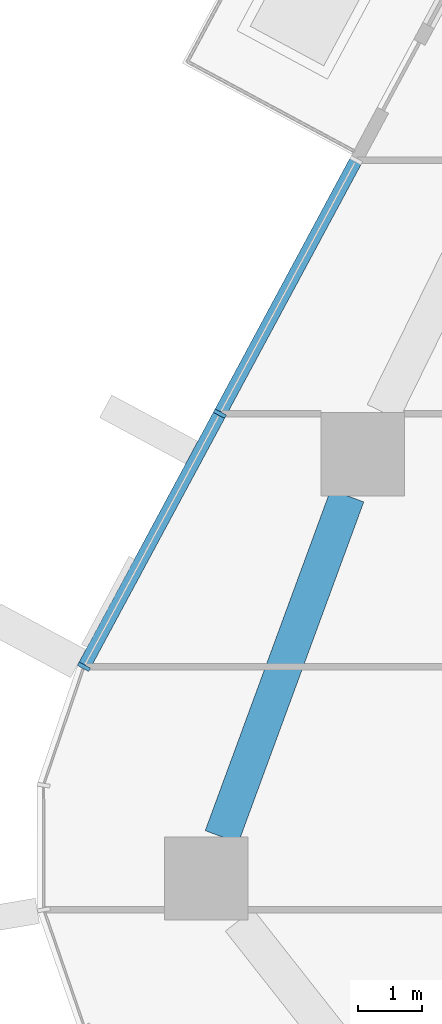
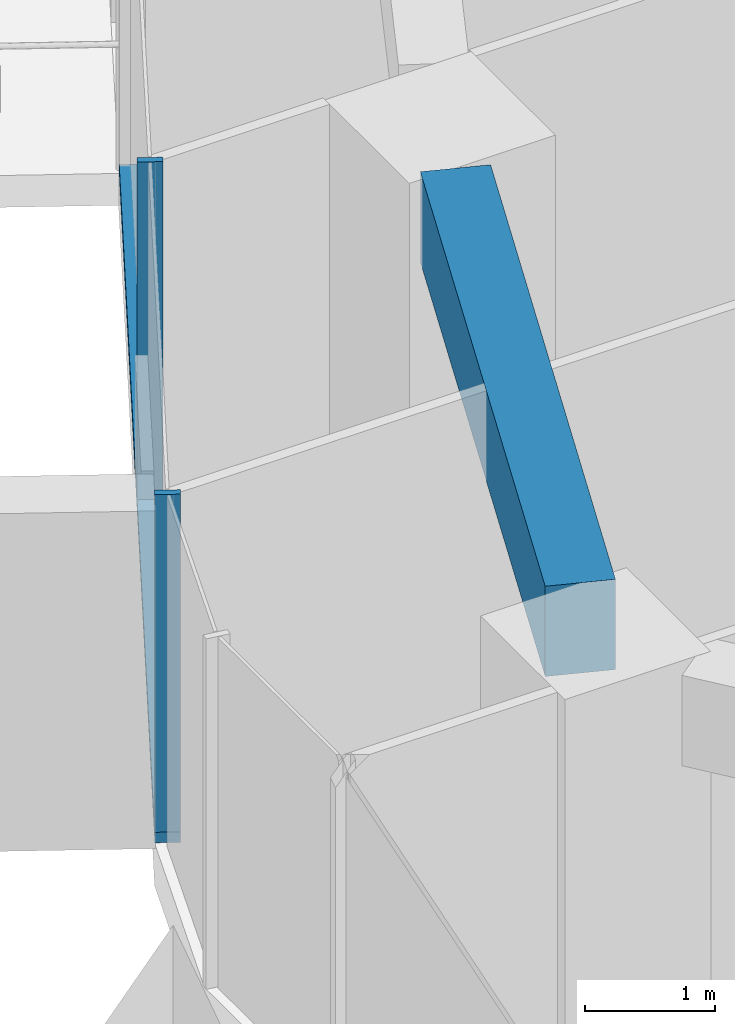
# One storey, part 3 of 24: 3 members, 1 beam, 1 element without a shape of its own.
"""IFC4 building model written with IfcOpenShell, lengths in metres."""

import ifcopenshell
import ifcopenshell.guid

model = None  # the IFC model being written
_history = None  # IfcOwnerHistory: only IFC2X3 demands one
_inside = {}  # id of a spatial element -> (the spatial element, [elements in it])
_under = {}  # id of a project, library or spatial element -> (it, [spatial elements below it])
_declared = {}  # id of a project -> (the project, [libraries it declares])
_typed = {}  # id of a type object -> (the type object, [elements of that type])
_made_of = {}  # id of a material, layer set ... -> (it, [elements and type objects made of it])


def new_model(schema):
    """Start an empty IFC model of exactly this schema.

    Asked for "IFC4X3", IfcOpenShell would pick the latest addendum, in which some entities
    have other attributes; the version numbers below select the first issue.
    IFC2X3 requires an IfcOwnerHistory on every rooted entity: one is made here for all.
    """
    global model, _history
    if schema == "IFC4X3":
        model = ifcopenshell.file(schema_version=(4, 3, 0, 0))
    else:
        model = ifcopenshell.file(schema=schema)
    _inside.clear()
    _under.clear()
    _declared.clear()
    _typed.clear()
    _made_of.clear()
    _history = None
    if model.schema == "IFC2X3":
        org = make("IfcOrganization", Name="unknown")
        user = make(
            "IfcPersonAndOrganization",
            ThePerson=make("IfcPerson", FamilyName="unknown"),
            TheOrganization=org,
        )
        app = make(
            "IfcApplication",
            ApplicationDeveloper=org,
            Version="unknown",
            ApplicationFullName="unknown",
            ApplicationIdentifier="unknown",
        )
        _history = make(
            "IfcOwnerHistory",
            OwningUser=user,
            OwningApplication=app,
            ChangeAction="ADDED",
            CreationDate=0,
        )
    return model


def make(cls, **values):
    """One entity of the class cls with the attributes given. An attribute that is None is left unset."""
    return model.create_entity(
        cls, **{name: value for name, value in values.items() if value is not None}
    )


def rooted(cls, **values):
    """An entity with a GlobalId (a new one), such as an element, a storey or a relation."""
    return make(cls, GlobalId=ifcopenshell.guid.new(), OwnerHistory=_history, **values)


def si_unit(unit_type, name, prefix=None):
    """IfcSIUnit, for example si_unit("LENGTHUNIT", "METRE", prefix="MILLI")."""
    return make("IfcSIUnit", UnitType=unit_type, Prefix=prefix, Name=name)


def assignment(units):
    """IfcUnitAssignment: the units of a project."""
    return None if units is None else make("IfcUnitAssignment", Units=units)


def point(xyz):
    """IfcCartesianPoint."""
    return None if xyz is None else make("IfcCartesianPoint", Coordinates=xyz)


def direction(xyz):
    """IfcDirection."""
    return None if xyz is None else make("IfcDirection", DirectionRatios=xyz)


def frame(location, z_axis=None, x_axis=None):
    """IfcAxis2Placement3D, a coordinate frame: its origin and axes. An axis left out is left unset."""
    return make(
        "IfcAxis2Placement3D",
        Location=point(location),
        Axis=direction(z_axis),
        RefDirection=direction(x_axis),
    )


def frame_2d(location, x_axis=None):
    """IfcAxis2Placement2D, a coordinate frame in the plane: its origin and x axis."""
    return make(
        "IfcAxis2Placement2D", Location=point(location), RefDirection=direction(x_axis)
    )


def origin():
    """The frame at (0, 0, 0) with its axes left unset."""
    return frame((0.0, 0.0, 0.0))


def origin_2d():
    """The frame at (0, 0) in the plane with its x axis left unset."""
    return frame_2d((0.0, 0.0))


def place(relative_to, where):
    """IfcLocalPlacement: puts the frame where relative to a parent placement (None: the world)."""
    return make(
        "IfcLocalPlacement", PlacementRelTo=relative_to, RelativePlacement=where
    )


def context(
    kind, dimensions, precision=None, world=None, true_north=None, identifier=None
):
    """IfcGeometricRepresentationContext, for example the 3D "Model" context."""
    return make(
        "IfcGeometricRepresentationContext",
        ContextIdentifier=identifier,
        ContextType=kind,
        CoordinateSpaceDimension=dimensions,
        Precision=precision,
        WorldCoordinateSystem=world,
        TrueNorth=true_north,
    )


def subcontext(parent, identifier, kind, view, scale=None):
    """IfcGeometricRepresentationSubContext, for example "Body" below "Model"."""
    return make(
        "IfcGeometricRepresentationSubContext",
        ContextIdentifier=identifier,
        ContextType=kind,
        ParentContext=parent,
        TargetScale=scale,
        TargetView=view,
    )


def project(units=None, contexts=None):
    """IfcProject with its units and contexts."""
    return rooted(
        "IfcProject",
        Name="project",
        RepresentationContexts=contexts,
        UnitsInContext=assignment(units),
    )


def spatial(cls, under=None, at=None, **own):
    """A site, building, storey or space (cls), placed at a placement, below another one or the project."""
    s = rooted(cls, ObjectPlacement=at, **own)
    if under is not None:
        _under.setdefault(under.id(), (under, []))[1].append(s)
    return s


def profile(cls, at=None, kind="AREA", **sizes):
    """A parametric profile (cls). Its sizes go by their IFC names, for example OverallWidth=200.0."""
    return make(cls, ProfileType=kind, Position=at, **sizes)


def rectangle(**sizes):
    """IfcRectangleProfileDef."""
    return profile("IfcRectangleProfileDef", **sizes)


def extrude(swept, where, along, depth):
    """IfcExtrudedAreaSolid: the profile swept, set in the frame where, extruded along a direction by depth."""
    return make(
        "IfcExtrudedAreaSolid",
        SweptArea=swept,
        Position=where,
        ExtrudedDirection=direction(along),
        Depth=depth,
    )


def shape(context_of_items, identifier, shape_type, items):
    """IfcShapeRepresentation: the items that make up one representation, for example the "Body"."""
    return make(
        "IfcShapeRepresentation",
        ContextOfItems=context_of_items,
        RepresentationIdentifier=identifier,
        RepresentationType=shape_type,
        Items=items,
    )


def material(Name=None, Category=None):
    """IfcMaterial."""
    return make("IfcMaterial", Name=Name, Category=Category)


def layer(
    of_material, thickness, ventilated=None, Name=None, Category=None, Priority=None
):
    """IfcMaterialLayer: one layer of a wall or slab, of a material (None: an air gap)."""
    return make(
        "IfcMaterialLayer",
        Material=of_material,
        LayerThickness=thickness,
        IsVentilated=ventilated,
        Name=Name,
        Category=Category,
        Priority=Priority,
    )


def layer_set(layers, Name=None):
    """IfcMaterialLayerSet."""
    return make("IfcMaterialLayerSet", MaterialLayers=layers, LayerSetName=Name)


def material_profile(
    of_material, cross_section, Name=None, Category=None, Priority=None
):
    """IfcMaterialProfile: a cross section and its material."""
    return make(
        "IfcMaterialProfile",
        Name=Name,
        Material=of_material,
        Profile=cross_section,
        Priority=Priority,
        Category=Category,
    )


def profile_set(profiles, Name=None, composite=None):
    """IfcMaterialProfileSet."""
    return make(
        "IfcMaterialProfileSet",
        Name=Name,
        MaterialProfiles=profiles,
        CompositeProfile=composite,
    )


def made_of(thing, what):
    """Note that an element or type object is made of a material, layer set ...; save() writes the relation."""
    if what is not None:
        _made_of.setdefault(what.id(), (what, []))[1].append(thing)
    return thing


def type_object(cls, material=None, **own):
    """A type object (cls), such as IfcWallType, which elements share."""
    return made_of(rooted(cls, **own), material)


def element(
    cls,
    number,
    at=None,
    inside=None,
    cuts=None,
    type_object=None,
    material=None,
    context=None,
    identifier="Body",
    shape_type=None,
    held_by="IfcProductDefinitionShape",
    body=None,
    shapes=None,
    **own,
):
    """One element of the class cls, such as IfcWall. Its Tag is "e" and its number.

    at: its placement. inside: the storey or other place that contains it. cuts: it is an
    opening in that element (IfcRelVoidsElement). A single representation is given by context,
    identifier, shape_type and body (its items); several are given by shapes. held_by: the class
    of the entity that holds the representations. save() writes the other relations.
    """
    e = rooted(cls, Tag="e%d" % number, ObjectPlacement=at, **own)
    if body is not None:
        shapes = [shape(context, identifier, shape_type, body)]
    if shapes is not None:
        e.Representation = make(held_by, Representations=shapes)
    if inside is not None:
        _inside.setdefault(inside.id(), (inside, []))[1].append(e)
    if cuts is not None:
        rooted(
            "IfcRelVoidsElement", RelatingBuildingElement=cuts, RelatedOpeningElement=e
        )
    if type_object is not None:
        _typed.setdefault(type_object.id(), (type_object, []))[1].append(e)
    return made_of(e, material)


def aggregate(whole, parts):
    """IfcRelAggregates: a whole, such as a stair, and the parts it consists of."""
    return rooted("IfcRelAggregates", RelatingObject=whole, RelatedObjects=parts)


def save(model, path):
    """Write the relations noted so far, then the file.

    IfcRelAggregates (storeys below a building ...), IfcRelContainedInSpatialStructure (elements
    in a storey), IfcRelDefinesByType, IfcRelAssociatesMaterial and IfcRelDeclares: one each for
    every whole, place, type object, material and project.
    """
    for whole, parts in _under.values():
        aggregate(whole, parts)
    for where, things in _inside.values():
        rooted(
            "IfcRelContainedInSpatialStructure",
            RelatedElements=things,
            RelatingStructure=where,
        )
    for kind, things in _typed.values():
        rooted("IfcRelDefinesByType", RelatedObjects=things, RelatingType=kind)
    for what, things in _made_of.values():
        rooted("IfcRelAssociatesMaterial", RelatedObjects=things, RelatingMaterial=what)
    for by, libraries in _declared.values():
        rooted("IfcRelDeclares", RelatingContext=by, RelatedDefinitions=libraries)
    model.write(path)


model = new_model("IFC4")

# Units and contexts
model_context = context("Model", 3, precision=1e-05, world=origin(), true_north=direction((0.0, 1.0)))
body_context = subcontext(model_context, "Body", "Model", "MODEL_VIEW")
ifc_project = project(units=[si_unit("LENGTHUNIT", "METRE"), si_unit("AREAUNIT", "SQUARE_METRE"), si_unit("VOLUMEUNIT", "CUBIC_METRE"), si_unit("PLANEANGLEUNIT", "RADIAN"), si_unit("MASSUNIT", "GRAM", prefix="KILO")], contexts=[model_context])

# Site, building, storey
site_placement = place(None, origin())
site = spatial("IfcSite", under=ifc_project, at=site_placement, CompositionType="ELEMENT")
building_placement = place(site_placement, origin())
building = spatial("IfcBuilding", under=site, at=building_placement, Name="Dongbaek Canopy Tower", CompositionType="ELEMENT")
storey_placement = place(building_placement, frame((0.0, 0.0, 117.39990234375)))
storey = spatial("IfcBuildingStorey", under=building, at=storey_placement, Name="L25", CompositionType="ELEMENT", Elevation=117.39990234375)

# Curtain wall, members
ifc_material_1 = material(Name="Aluminium 6063-T6 pale anodised", Category="aluminium")
ifc_layer = layer(ifc_material_1, 0.199951171875)
ifc_layer_set = layer_set([ifc_layer], Name="CW-1 unitised tower curtain wall")
curtain_wall_type = type_object("IfcCurtainWallType", Name="CW-1 unitised tower curtain wall", PredefinedType="NOTDEFINED", material=ifc_layer_set)
curtain_wall_placement = place(storey_placement, origin())
curtain_wall = element("IfcCurtainWall", 1, at=curtain_wall_placement, inside=storey, type_object=curtain_wall_type, Name="CW-1 curtain wall F2.1", PredefinedType="NOTDEFINED")
ifc_material_2 = material(Name="Aluminium 6063-T6 pale anodised", Category="aluminium")
ifc_material_profile_1 = material_profile(ifc_material_2, rectangle(XDim=0.199951171875, YDim=0.06005859375, at=origin_2d()), Name="CW-1 mullion 60 x 200")
ifc_profile_set_1 = profile_set([ifc_material_profile_1], Name="Aluminium 6063-T6 pale anodised")
member_type_1 = type_object("IfcMemberType", Name="CW-1 mullion 60 x 200", PredefinedType="MULLION", material=ifc_profile_set_1)
member_1_placement = place(storey_placement, frame((-29.91552734375, 0.711669921875, 0.1201171875), z_axis=(0.0, 0.0, 1.0), x_axis=(-0.880842802858, 0.473408868372, 0.0)))
member_1 = element("IfcMember", 2, at=member_1_placement, type_object=member_type_1, Name="CW-1 mullion F2.1.2", PredefinedType="MULLION", context=body_context, shape_type="SweptSolid", body=[
    extrude(rectangle(XDim=0.199951171875, YDim=0.06005859375, at=origin_2d()), origin(), (0.0, 0.0, 1.0), 3.179931640625),
])
member_2_placement = place(storey_placement, frame((-32.033447265625, -3.229248046875, 0.1201171875), z_axis=(0.0, 0.0, 1.0), x_axis=(-0.880842802858, 0.473408868372, 0.0)))
member_2 = element("IfcMember", 3, at=member_2_placement, type_object=member_type_1, Name="CW-1 mullion F2.1.3", PredefinedType="MULLION", context=body_context, shape_type="SweptSolid", body=[
    extrude(rectangle(XDim=0.199951171875, YDim=0.06005859375, at=origin_2d()), origin(), (0.0, 0.0, 1.0), 3.179931640625),
])
ifc_material_3 = material(Name="Aluminium 6063-T6 pale anodised", Category="aluminium")
ifc_material_profile_2 = material_profile(ifc_material_3, rectangle(XDim=0.199951171875, YDim=0.1201171875, at=origin_2d()), Name="CW-1 transom 120 x 200")
ifc_profile_set_2 = profile_set([ifc_material_profile_2], Name="Aluminium 6063-T6 pale anodised")
member_type_2 = type_object("IfcMemberType", Name="CW-1 transom 120 x 200", PredefinedType="USERDEFINED", material=ifc_profile_set_2)
member_3_placement = place(storey_placement, frame((-27.793701171875, 4.65966796875, 0.06005859375), z_axis=(-0.473395790362, -0.880849831508, 0.0), x_axis=(0.880849831508, -0.473395790362, 0.0)))
member_3 = element("IfcMember", 4, at=member_3_placement, type_object=member_type_2, Name="CW-1 transom F2.1.1", ObjectType="TRANSOM", PredefinedType="USERDEFINED", context=body_context, shape_type="SweptSolid", body=[
    extrude(rectangle(XDim=0.199951171875, YDim=0.1201171875, at=origin_2d()), origin(), (0.0, 0.0, 1.0), 8.9560546875),
])
aggregate(curtain_wall, [member_1, member_2, member_3])

# Beam
ifc_material_4 = material(Name="Concrete C80", Category="concrete")
ifc_material_profile_3 = material_profile(ifc_material_4, rectangle(XDim=0.550048828125, YDim=0.85009765625, at=origin_2d()), Name="RC EDGE BEAM 550x850 C80")
ifc_profile_set_3 = profile_set([ifc_material_profile_3], Name="Concrete C80")
beam_type = type_object("IfcBeamType", Name="RC EDGE BEAM 550x850 C80", PredefinedType="BEAM", material=ifc_profile_set_3)
beam_placement = place(storey_placement, frame((-29.8857421875, -5.876953125, 2.875), z_axis=(0.345281407117, 0.938499200799, 0.0), x_axis=(-0.938499200799, 0.345281407117, 0.0)))
element("IfcBeam", 5, at=beam_placement, inside=storey, type_object=beam_type, Name="EDGEBEAM:L25:08", PredefinedType="BEAM", context=body_context, shape_type="SweptSolid", body=[
    extrude(rectangle(XDim=0.550048828125, YDim=0.85009765625, at=origin_2d()), origin(), (0.0, 0.0, 1.0), 5.657958984375),
])

save(model, "model.ifc")
